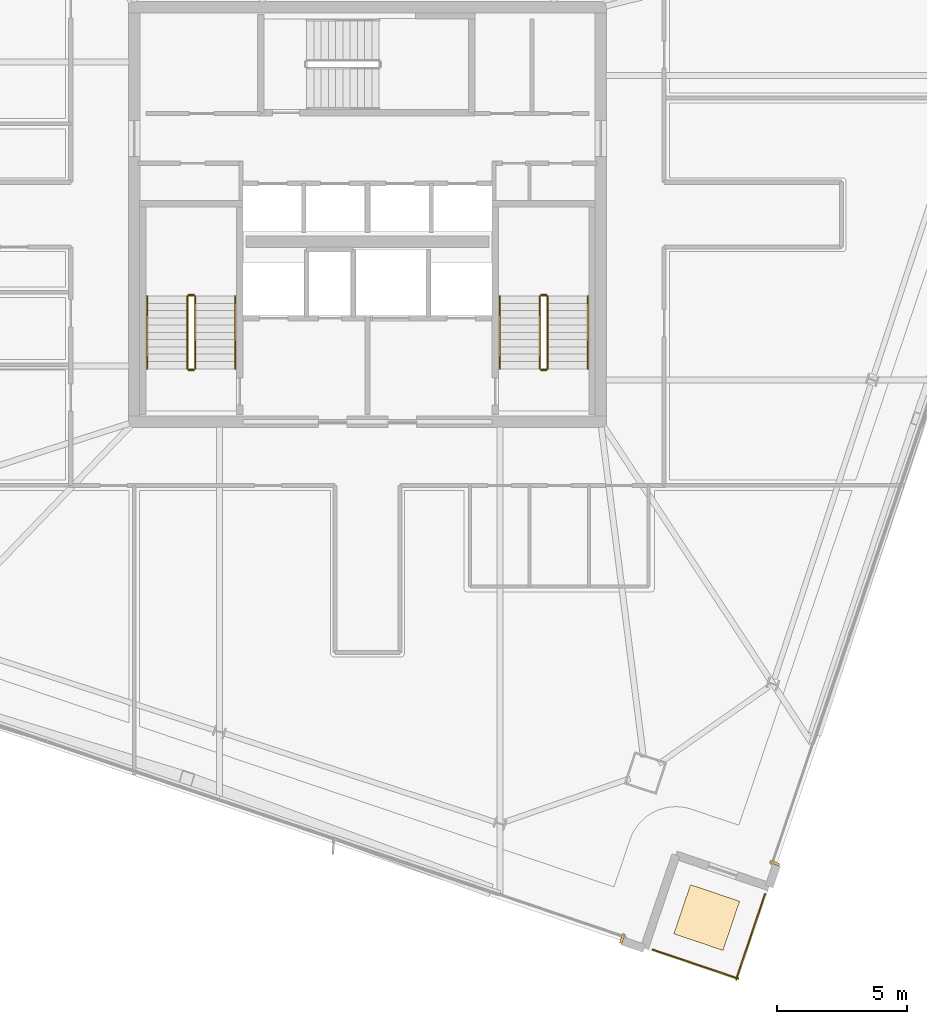
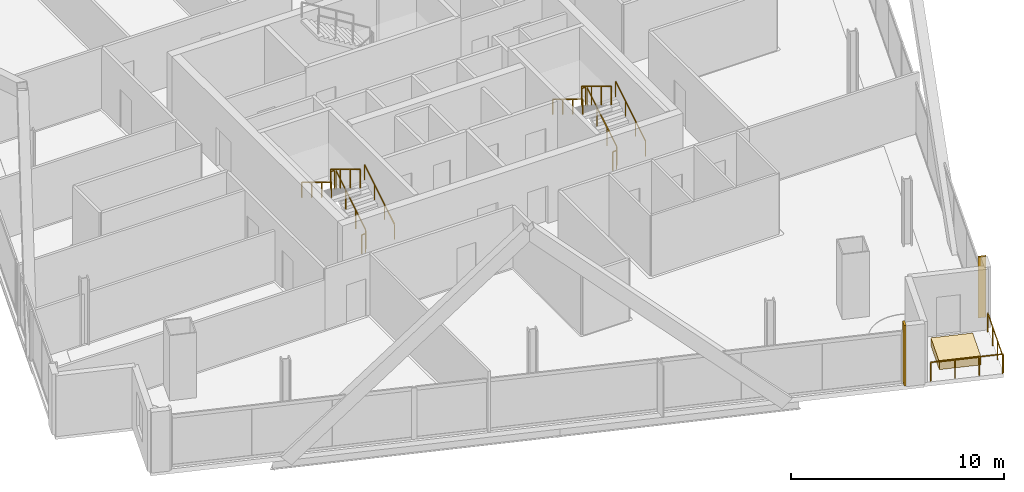
# One storey, part 26 of 29: 14 railings, 3 coverings.
"""IFC4 building model written with IfcOpenShell, lengths in metres."""

from ifc_helpers import new_model, si_unit, direction, frame, origin, origin_2d, place, context, subcontext, project, spatial, polyline, rectangle, outline, extrude, source, transform, mapped, material, layer, layer_set, type_object, element, save


model = new_model("IFC4")

# Units and contexts
model_context = context("Model", 3, precision=1e-05, world=origin(), true_north=direction((0.0, 1.0)))
body_context = subcontext(model_context, "Body", "Model", "MODEL_VIEW")
ifc_project = project(units=[si_unit("LENGTHUNIT", "METRE"), si_unit("AREAUNIT", "SQUARE_METRE"), si_unit("VOLUMEUNIT", "CUBIC_METRE"), si_unit("PLANEANGLEUNIT", "RADIAN"), si_unit("MASSUNIT", "GRAM", prefix="KILO")], contexts=[model_context])

# Site, building, storey
site_placement = place(None, origin())
site = spatial("IfcSite", under=ifc_project, at=site_placement, CompositionType="ELEMENT")
building_placement = place(site_placement, origin())
building = spatial("IfcBuilding", under=site, at=building_placement, Name="Haldenkirk Collegiate Tower", CompositionType="ELEMENT")
storey_placement = place(building_placement, frame((0.0, 0.0, 267.449951171875)))
storey = spatial("IfcBuildingStorey", under=building, at=storey_placement, Name="L67", CompositionType="ELEMENT", Elevation=267.449951171875)

# Covering
ifc_material_1 = material(Name="Precast concrete f'c 40 MPa", Category="concrete")
ifc_layer_1 = layer(ifc_material_1, 0.449951171875)
ifc_layer_set_1 = layer_set([ifc_layer_1], Name="Precast concrete f'c 40 MPa")
covering_type_1 = type_object("IfcCoveringType", Name="COV-PLANTER-450", PredefinedType="USERDEFINED", material=ifc_layer_set_1)
covering_placement = place(storey_placement, origin())
element("IfcCovering", 1, at=covering_placement, inside=storey, type_object=covering_type_1, Name="L67 planted garden planter bed", ObjectType="PLANTER", PredefinedType="USERDEFINED", context=body_context, shape_type="SweptSolid", body=[
    extrude(outline(polyline([(49.719482421875, -2.397705078125), (47.8251953125, -1.756591796875), (48.46630859375, 0.137939453125), (50.36083984375, -0.50341796875), (49.719482421875, -2.397705078125)])), origin(), (0.0, 0.0, 1.0), 0.449951171875),
])

# Railings
ifc_material_2 = material(Name="Painted architectural tubular steel", Category="steel")
railing_type_1 = type_object("IfcRailingType", Name="RLG-STAIR-GUARD-1100", PredefinedType="BALUSTRADE", material=ifc_material_2)
railing_1_placement = place(storey_placement, frame((29.35009765625, 20.050048828125, 0.17041015625)))
element("IfcRailing", 2, at=railing_1_placement, inside=storey, type_object=railing_type_1, Name="L67 ST-1 stair guard 1", PredefinedType="BALUSTRADE", context=body_context, shape_type="SweptSolid", body=[
    extrude(rectangle(XDim=0.048095703125, YDim=0.048095703125, at=origin_2d()), frame((0.0, 0.0, 1.076171875), z_axis=(0.0, 0.854169791009, 0.51999420009), x_axis=(-1.0, 0.0, 0.0)), (0.0, 0.0, 1.0), 3.278076171875),
    extrude(rectangle(XDim=0.0419921875, YDim=0.0419921875, at=origin_2d()), origin(), (0.0, 0.0, 1.0), 1.052001953125),
    extrude(rectangle(XDim=0.0419921875, YDim=0.0419921875, at=origin_2d()), frame((0.0, 0.933349609375, 0.568115234375)), (0.0, 0.0, 1.0), 1.052001953125),
    extrude(rectangle(XDim=0.0419921875, YDim=0.0419921875, at=origin_2d()), frame((0.0, 1.86669921875, 1.136474609375)), (0.0, 0.0, 1.0), 1.052001953125),
    extrude(rectangle(XDim=0.0419921875, YDim=0.0419921875, at=origin_2d()), frame((0.0, 2.800048828125, 1.70458984375)), (0.0, 0.0, 1.0), 1.052001953125),
])
railing_2_placement = place(storey_placement, frame((29.300048828125, 22.89990234375, 1.875)))
element("IfcRailing", 3, at=railing_2_placement, inside=storey, type_object=railing_type_1, Name="L67 ST-1 stair guard 2", PredefinedType="BALUSTRADE", context=body_context, shape_type="SweptSolid", body=[
    extrude(rectangle(XDim=0.048095703125, YDim=0.048095703125, at=origin_2d()), frame((0.0, 0.0, 1.076171875), z_axis=(-1.0, 0.0, 0.0), x_axis=(0.0, -1.0, 0.0)), (0.0, 0.0, 1.0), 0.199951171875),
    extrude(rectangle(XDim=0.0419921875, YDim=0.0419921875, at=origin_2d()), origin(), (0.0, 0.0, 1.0), 1.052001953125),
    extrude(rectangle(XDim=0.0419921875, YDim=0.0419921875, at=origin_2d()), frame((-0.199951171875, 0.0, 0.0)), (0.0, 0.0, 1.0), 1.052001953125),
])
railing_3_placement = place(storey_placement, frame((29.050048828125, 22.85009765625, 2.04541015625)))
element("IfcRailing", 4, at=railing_3_placement, inside=storey, type_object=railing_type_1, Name="L67 ST-1 stair guard 3", PredefinedType="BALUSTRADE", context=body_context, shape_type="SweptSolid", body=[
    extrude(rectangle(XDim=0.048095703125, YDim=0.048095703125, at=origin_2d()), frame((0.0, 0.0, 1.076171875), z_axis=(0.0, -0.854169791009, 0.51999420009), x_axis=(1.0, 0.0, 0.0)), (0.0, 0.0, 1.0), 3.278076171875),
    extrude(rectangle(XDim=0.0419921875, YDim=0.0419921875, at=origin_2d()), origin(), (0.0, 0.0, 1.0), 1.052001953125),
    extrude(rectangle(XDim=0.0419921875, YDim=0.0419921875, at=origin_2d()), frame((0.0, -0.933349609375, 0.568115234375)), (0.0, 0.0, 1.0), 1.052001953125),
    extrude(rectangle(XDim=0.0419921875, YDim=0.0419921875, at=origin_2d()), frame((0.0, -1.86669921875, 1.136474609375)), (0.0, 0.0, 1.0), 1.052001953125),
    extrude(rectangle(XDim=0.0419921875, YDim=0.0419921875, at=origin_2d()), frame((0.0, -2.800048828125, 1.70458984375)), (0.0, 0.0, 1.0), 1.052001953125),
])
railing_4_placement = place(storey_placement, frame((29.300048828125, 20.0, 0.0)))
element("IfcRailing", 5, at=railing_4_placement, inside=storey, type_object=railing_type_1, Name="L67 ST-1 stair guard 4", PredefinedType="BALUSTRADE", context=body_context, shape_type="SweptSolid", body=[
    extrude(rectangle(XDim=0.048095703125, YDim=0.048095703125, at=origin_2d()), frame((0.0, 0.0, 1.076171875), z_axis=(-1.0, 0.0, 0.0), x_axis=(0.0, -1.0, 0.0)), (0.0, 0.0, 1.0), 0.199951171875),
    extrude(rectangle(XDim=0.0419921875, YDim=0.0419921875, at=origin_2d()), origin(), (0.0, 0.0, 1.0), 1.052001953125),
    extrude(rectangle(XDim=0.0419921875, YDim=0.0419921875, at=origin_2d()), frame((-0.199951171875, 0.0, 0.0)), (0.0, 0.0, 1.0), 1.052001953125),
])
railing_5_placement = place(storey_placement, frame((42.949951171875, 20.050048828125, 0.17041015625)))
element("IfcRailing", 6, at=railing_5_placement, inside=storey, type_object=railing_type_1, Name="L67 ST-2 stair guard 1", PredefinedType="BALUSTRADE", context=body_context, shape_type="SweptSolid", body=[
    extrude(rectangle(XDim=0.048095703125, YDim=0.048095703125, at=origin_2d()), frame((0.0, 0.0, 1.076171875), z_axis=(0.0, 0.854169791009, 0.51999420009), x_axis=(-1.0, 0.0, 0.0)), (0.0, 0.0, 1.0), 3.278076171875),
    extrude(rectangle(XDim=0.0419921875, YDim=0.0419921875, at=origin_2d()), origin(), (0.0, 0.0, 1.0), 1.052001953125),
    extrude(rectangle(XDim=0.0419921875, YDim=0.0419921875, at=origin_2d()), frame((0.0, 0.933349609375, 0.568115234375)), (0.0, 0.0, 1.0), 1.052001953125),
    extrude(rectangle(XDim=0.0419921875, YDim=0.0419921875, at=origin_2d()), frame((0.0, 1.86669921875, 1.136474609375)), (0.0, 0.0, 1.0), 1.052001953125),
    extrude(rectangle(XDim=0.0419921875, YDim=0.0419921875, at=origin_2d()), frame((0.0, 2.800048828125, 1.70458984375)), (0.0, 0.0, 1.0), 1.052001953125),
])
railing_6_placement = place(storey_placement, frame((42.89990234375, 22.89990234375, 1.875)))
element("IfcRailing", 7, at=railing_6_placement, inside=storey, type_object=railing_type_1, Name="L67 ST-2 stair guard 2", PredefinedType="BALUSTRADE", context=body_context, shape_type="SweptSolid", body=[
    extrude(rectangle(XDim=0.048095703125, YDim=0.048095703125, at=origin_2d()), frame((0.0, 0.0, 1.076171875), z_axis=(-1.0, 0.0, 0.0), x_axis=(0.0, -1.0, 0.0)), (0.0, 0.0, 1.0), 0.199951171875),
    extrude(rectangle(XDim=0.0419921875, YDim=0.0419921875, at=origin_2d()), origin(), (0.0, 0.0, 1.0), 1.052001953125),
    extrude(rectangle(XDim=0.0419921875, YDim=0.0419921875, at=origin_2d()), frame((-0.199951171875, 0.0, 0.0)), (0.0, 0.0, 1.0), 1.052001953125),
])
railing_7_placement = place(storey_placement, frame((42.64990234375, 22.85009765625, 2.04541015625)))
element("IfcRailing", 8, at=railing_7_placement, inside=storey, type_object=railing_type_1, Name="L67 ST-2 stair guard 3", PredefinedType="BALUSTRADE", context=body_context, shape_type="SweptSolid", body=[
    extrude(rectangle(XDim=0.048095703125, YDim=0.048095703125, at=origin_2d()), frame((0.0, 0.0, 1.076171875), z_axis=(0.0, -0.854169791009, 0.51999420009), x_axis=(1.0, 0.0, 0.0)), (0.0, 0.0, 1.0), 3.278076171875),
    extrude(rectangle(XDim=0.0419921875, YDim=0.0419921875, at=origin_2d()), origin(), (0.0, 0.0, 1.0), 1.052001953125),
    extrude(rectangle(XDim=0.0419921875, YDim=0.0419921875, at=origin_2d()), frame((0.0, -0.933349609375, 0.568115234375)), (0.0, 0.0, 1.0), 1.052001953125),
    extrude(rectangle(XDim=0.0419921875, YDim=0.0419921875, at=origin_2d()), frame((0.0, -1.86669921875, 1.136474609375)), (0.0, 0.0, 1.0), 1.052001953125),
    extrude(rectangle(XDim=0.0419921875, YDim=0.0419921875, at=origin_2d()), frame((0.0, -2.800048828125, 1.70458984375)), (0.0, 0.0, 1.0), 1.052001953125),
])
railing_8_placement = place(storey_placement, frame((42.89990234375, 20.0, 0.0)))
element("IfcRailing", 9, at=railing_8_placement, inside=storey, type_object=railing_type_1, Name="L67 ST-2 stair guard 4", PredefinedType="BALUSTRADE", context=body_context, shape_type="SweptSolid", body=[
    extrude(rectangle(XDim=0.048095703125, YDim=0.048095703125, at=origin_2d()), frame((0.0, 0.0, 1.076171875), z_axis=(-1.0, 0.0, 0.0), x_axis=(0.0, -1.0, 0.0)), (0.0, 0.0, 1.0), 0.199951171875),
    extrude(rectangle(XDim=0.0419921875, YDim=0.0419921875, at=origin_2d()), origin(), (0.0, 0.0, 1.0), 1.052001953125),
    extrude(rectangle(XDim=0.0419921875, YDim=0.0419921875, at=origin_2d()), frame((-0.199951171875, 0.0, 0.0)), (0.0, 0.0, 1.0), 1.052001953125),
])
railing_type_2 = type_object("IfcRailingType", Name="RLG-STAIR-HANDRAIL-900", PredefinedType="HANDRAIL", material=ifc_material_2)
railing_9_placement = place(storey_placement, frame((30.89990234375, 20.050048828125, 0.17041015625)))
element("IfcRailing", 10, at=railing_9_placement, inside=storey, type_object=railing_type_2, Name="L67 ST-1 stair handrail 1", PredefinedType="HANDRAIL", context=body_context, shape_type="SweptSolid", body=[
    extrude(rectangle(XDim=0.048095703125, YDim=0.048095703125, at=origin_2d()), frame((0.0, 0.0, 0.8759765625), z_axis=(0.0, 0.854169791009, 0.51999420009), x_axis=(-1.0, 0.0, 0.0)), (0.0, 0.0, 1.0), 3.278076171875),
    extrude(rectangle(XDim=0.0419921875, YDim=0.0419921875, at=origin_2d()), origin(), (0.0, 0.0, 1.0), 0.851806640625),
    extrude(rectangle(XDim=0.0419921875, YDim=0.0419921875, at=origin_2d()), frame((0.0, 0.933349609375, 0.568115234375)), (0.0, 0.0, 1.0), 0.851806640625),
    extrude(rectangle(XDim=0.0419921875, YDim=0.0419921875, at=origin_2d()), frame((0.0, 1.86669921875, 1.136474609375)), (0.0, 0.0, 1.0), 0.851806640625),
    extrude(rectangle(XDim=0.0419921875, YDim=0.0419921875, at=origin_2d()), frame((0.0, 2.800048828125, 1.70458984375)), (0.0, 0.0, 1.0), 0.851806640625),
])
railing_10_placement = place(storey_placement, frame((27.5, 22.85009765625, 2.04541015625)))
element("IfcRailing", 11, at=railing_10_placement, inside=storey, type_object=railing_type_2, Name="L67 ST-1 stair handrail 2", PredefinedType="HANDRAIL", context=body_context, shape_type="SweptSolid", body=[
    extrude(rectangle(XDim=0.048095703125, YDim=0.048095703125, at=origin_2d()), frame((0.0, 0.0, 0.8759765625), z_axis=(0.0, -0.854169791009, 0.51999420009), x_axis=(1.0, 0.0, 0.0)), (0.0, 0.0, 1.0), 3.278076171875),
    extrude(rectangle(XDim=0.0419921875, YDim=0.0419921875, at=origin_2d()), origin(), (0.0, 0.0, 1.0), 0.851806640625),
    extrude(rectangle(XDim=0.0419921875, YDim=0.0419921875, at=origin_2d()), frame((0.0, -0.933349609375, 0.568115234375)), (0.0, 0.0, 1.0), 0.851806640625),
    extrude(rectangle(XDim=0.0419921875, YDim=0.0419921875, at=origin_2d()), frame((0.0, -1.86669921875, 1.136474609375)), (0.0, 0.0, 1.0), 0.851806640625),
    extrude(rectangle(XDim=0.0419921875, YDim=0.0419921875, at=origin_2d()), frame((0.0, -2.800048828125, 1.70458984375)), (0.0, 0.0, 1.0), 0.851806640625),
])
railing_11_placement = place(storey_placement, frame((44.5, 20.050048828125, 0.17041015625)))
element("IfcRailing", 12, at=railing_11_placement, inside=storey, type_object=railing_type_2, Name="L67 ST-2 stair handrail 1", PredefinedType="HANDRAIL", context=body_context, shape_type="SweptSolid", body=[
    extrude(rectangle(XDim=0.048095703125, YDim=0.048095703125, at=origin_2d()), frame((0.0, 0.0, 0.8759765625), z_axis=(0.0, 0.854169791009, 0.51999420009), x_axis=(-1.0, 0.0, 0.0)), (0.0, 0.0, 1.0), 3.278076171875),
    extrude(rectangle(XDim=0.0419921875, YDim=0.0419921875, at=origin_2d()), origin(), (0.0, 0.0, 1.0), 0.851806640625),
    extrude(rectangle(XDim=0.0419921875, YDim=0.0419921875, at=origin_2d()), frame((0.0, 0.933349609375, 0.568115234375)), (0.0, 0.0, 1.0), 0.851806640625),
    extrude(rectangle(XDim=0.0419921875, YDim=0.0419921875, at=origin_2d()), frame((0.0, 1.86669921875, 1.136474609375)), (0.0, 0.0, 1.0), 0.851806640625),
    extrude(rectangle(XDim=0.0419921875, YDim=0.0419921875, at=origin_2d()), frame((0.0, 2.800048828125, 1.70458984375)), (0.0, 0.0, 1.0), 0.851806640625),
])
railing_12_placement = place(storey_placement, frame((41.10009765625, 22.85009765625, 2.04541015625)))
element("IfcRailing", 13, at=railing_12_placement, inside=storey, type_object=railing_type_2, Name="L67 ST-2 stair handrail 2", PredefinedType="HANDRAIL", context=body_context, shape_type="SweptSolid", body=[
    extrude(rectangle(XDim=0.048095703125, YDim=0.048095703125, at=origin_2d()), frame((0.0, 0.0, 0.8759765625), z_axis=(0.0, -0.854169791009, 0.51999420009), x_axis=(1.0, 0.0, 0.0)), (0.0, 0.0, 1.0), 3.278076171875),
    extrude(rectangle(XDim=0.0419921875, YDim=0.0419921875, at=origin_2d()), origin(), (0.0, 0.0, 1.0), 0.851806640625),
    extrude(rectangle(XDim=0.0419921875, YDim=0.0419921875, at=origin_2d()), frame((0.0, -0.933349609375, 0.568115234375)), (0.0, 0.0, 1.0), 0.851806640625),
    extrude(rectangle(XDim=0.0419921875, YDim=0.0419921875, at=origin_2d()), frame((0.0, -1.86669921875, 1.136474609375)), (0.0, 0.0, 1.0), 0.851806640625),
    extrude(rectangle(XDim=0.0419921875, YDim=0.0419921875, at=origin_2d()), frame((0.0, -2.800048828125, 1.70458984375)), (0.0, 0.0, 1.0), 0.851806640625),
])
ifc_material_3 = material(Name="Anodised architectural bronze aluminium", Category="aluminium")
railing_type_3 = type_object("IfcRailingType", Name="RLG-TERR-BALUSTRADE-1100", PredefinedType="BALUSTRADE", material=ifc_material_3)
railing_13_placement = place(storey_placement, frame((50.226806640625, -3.51953125, 0.0)))
element("IfcRailing", 14, at=railing_13_placement, inside=storey, type_object=railing_type_3, Name="L67 terrace guard balustrade 1-1", PredefinedType="BALUSTRADE", context=body_context, shape_type="SweptSolid", body=[
    extrude(rectangle(XDim=0.048095703125, YDim=0.048095703125, at=origin_2d()), frame((0.0, 0.0, 1.076171875), z_axis=(0.32056034176, 0.94722809676, 0.0), x_axis=(-0.94722809676, 0.32056034176, 0.0)), (0.0, 0.0, 1.0), 3.479736328125),
    extrude(rectangle(XDim=0.0419921875, YDim=0.0419921875, at=origin_2d()), origin(), (0.0, 0.0, 1.0), 1.052001953125),
    extrude(rectangle(XDim=0.0419921875, YDim=0.0419921875, at=origin_2d()), frame((0.371826171875, 1.0986328125, 0.0)), (0.0, 0.0, 1.0), 1.052001953125),
    extrude(rectangle(XDim=0.0419921875, YDim=0.0419921875, at=origin_2d()), frame((0.74365234375, 2.197509765625, 0.0)), (0.0, 0.0, 1.0), 1.052001953125),
    extrude(rectangle(XDim=0.0419921875, YDim=0.0419921875, at=origin_2d()), frame((1.115478515625, 3.296142578125, 0.0)), (0.0, 0.0, 1.0), 1.052001953125),
])
railing_14_placement = place(storey_placement, frame((47.00634765625, -2.3662109375, 0.0)))
element("IfcRailing", 15, at=railing_14_placement, inside=storey, type_object=railing_type_3, Name="L67 terrace guard balustrade 4-1", PredefinedType="BALUSTRADE", context=body_context, shape_type="SweptSolid", body=[
    extrude(rectangle(XDim=0.048095703125, YDim=0.048095703125, at=origin_2d()), frame((0.0, 0.0, 1.076171875), z_axis=(0.947214003049, -0.320601984442, 0.0), x_axis=(0.320601984442, 0.947214003049, 0.0)), (0.0, 0.0, 1.0), 3.47998046875),
    extrude(rectangle(XDim=0.0419921875, YDim=0.0419921875, at=origin_2d()), origin(), (0.0, 0.0, 1.0), 1.052001953125),
    extrude(rectangle(XDim=0.0419921875, YDim=0.0419921875, at=origin_2d()), frame((1.098876953125, -0.371826171875, 0.0)), (0.0, 0.0, 1.0), 1.052001953125),
    extrude(rectangle(XDim=0.0419921875, YDim=0.0419921875, at=origin_2d()), frame((2.197509765625, -0.743896484375, 0.0)), (0.0, 0.0, 1.0), 1.052001953125),
    extrude(rectangle(XDim=0.0419921875, YDim=0.0419921875, at=origin_2d()), frame((3.29638671875, -1.11572265625, 0.0)), (0.0, 0.0, 1.0), 1.052001953125),
])

# Coverings
ifc_layer_2 = layer(ifc_material_3, 0.06005859375)
ifc_layer_set_2 = layer_set([ifc_layer_2], Name="Anodised architectural bronze aluminium")
covering_type_2 = type_object("IfcCoveringType", Name="COV-CLAD-BRONZE-60", PredefinedType="CLADDING", material=ifc_layer_set_2)
shared_shape = source(origin(), body_context, "Body", "SweptSolid", [
    extrude(rectangle(XDim=0.10009765625, YDim=0.3798828125, at=origin_2d()), origin(), (0.0, 0.0, 1.0), 3.47998046875),
])
for number, where, z_axis, x_axis, name in (
    (16, (51.71484375, 0.970458984375, 0.0), (0.0, 0.0, 1.0), (-0.320612990586, -0.947210277746, 0.0), "L67 recessed curtain-wall bronze jamb closure SJR"),
    (17, (45.83203125, -1.93701171875, 0.0), (0.0, 0.0, 1.0), (-0.947210277746, 0.320612990586, 0.0), "L67 recessed curtain-wall bronze jamb closure WJL"),
):
    element("IfcCovering", number, at=place(storey_placement, frame(where, z_axis=z_axis, x_axis=x_axis)), inside=storey, type_object=covering_type_2, Name=name, PredefinedType="CLADDING", context=body_context, shape_type="MappedRepresentation", body=[
        mapped(shared_shape, transform((0.0, 0.0, 0.0), x_axis=(1.0, 0.0, 0.0), y_axis=(0.0, 1.0, 0.0), z_axis=(0.0, 0.0, 1.0), scale=1.0)),
    ])

save(model, "model.ifc")
